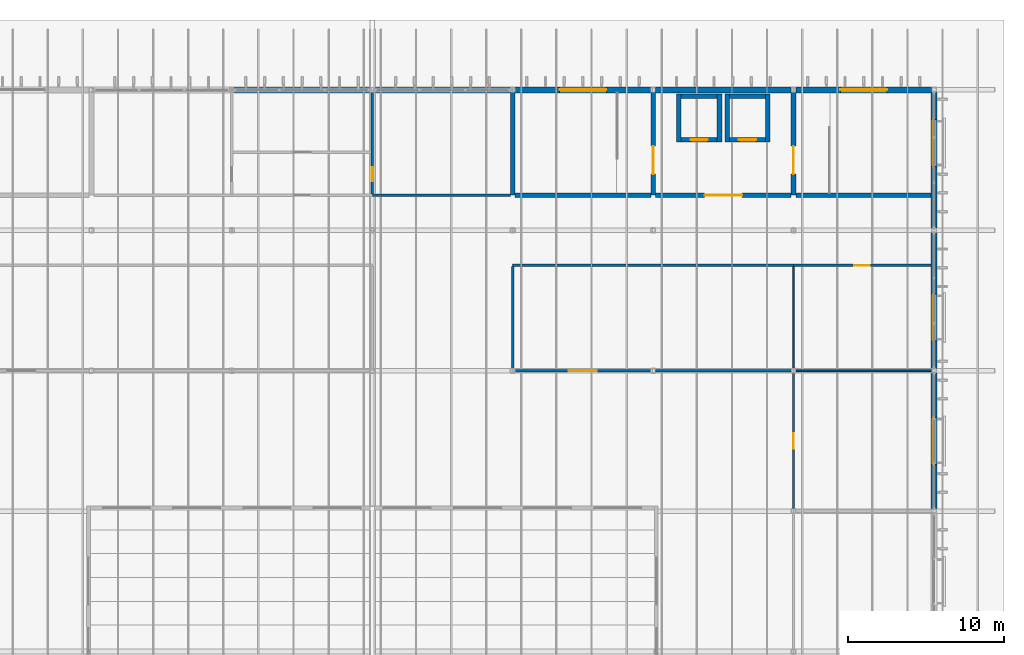
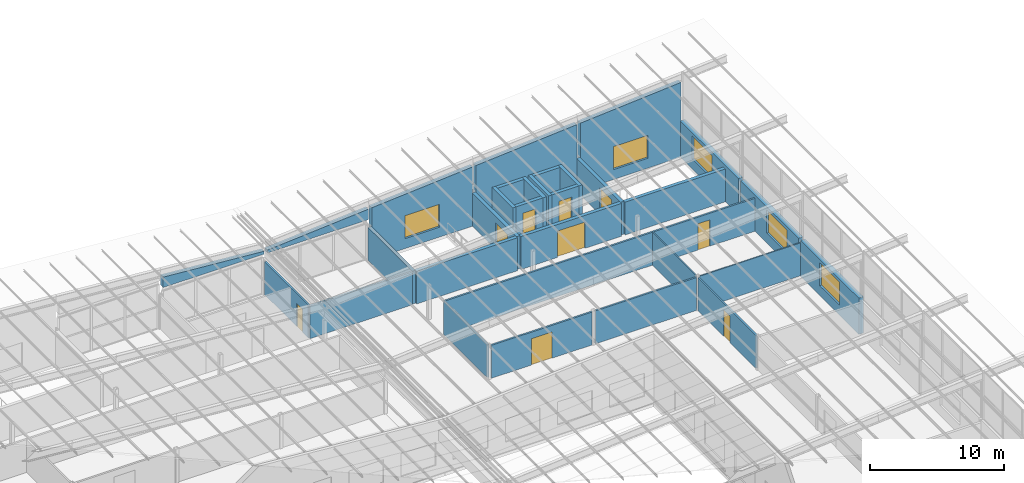
# One storey, part 76 of 85: 32 walls, 9 doors, 5 windows, 14 openings.
"""IFC4 building model written with IfcOpenShell, lengths in metres."""

from ifc_helpers import new_model, si_unit, direction, frame, frame_2d, origin, place, context, subcontext, project, spatial, polyline, rectangle, outline, extrude, material, layer, layer_set, type_object, element, fill, save


model = new_model("IFC4")

# Units and contexts
model_context = context("Model", 3, precision=1e-05, world=origin(), true_north=direction((0.0, 1.0)))
body_context = subcontext(model_context, "Body", "Model", "MODEL_VIEW")
ifc_project = project(units=[si_unit("LENGTHUNIT", "METRE"), si_unit("AREAUNIT", "SQUARE_METRE"), si_unit("VOLUMEUNIT", "CUBIC_METRE"), si_unit("PLANEANGLEUNIT", "RADIAN"), si_unit("MASSUNIT", "GRAM", prefix="KILO")], contexts=[model_context])

# Site, building, storey
site_placement = place(None, origin())
site = spatial("IfcSite", under=ifc_project, at=site_placement, CompositionType="ELEMENT")
building_placement = place(site_placement, origin())
building = spatial("IfcBuilding", under=site, at=building_placement, Name="Opaline Strait Convention Centre", CompositionType="ELEMENT")
storey_placement = place(building_placement, frame((0.0, 0.0, 17.0)))
storey = spatial("IfcBuildingStorey", under=building, at=storey_placement, Name="L03", CompositionType="ELEMENT", Elevation=17.0)

# Wall, opening, door
ifc_material_1 = material(Name="Gypsum board")
ifc_layer_1 = layer(ifc_material_1, 0.032470703125)
ifc_material_2 = material(Name="Steel stud and mineral wool", Category="steel")
ifc_layer_2 = layer(ifc_material_2, 0.0849609375)
ifc_layer_3 = layer(ifc_material_1, 0.032470703125)
ifc_layer_set_1 = layer_set([ifc_layer_1, ifc_layer_2, ifc_layer_3], Name="Gypsum board, Steel stud and mineral wool, Gypsum board")
wall_type_1 = type_object("IfcWallType", Name="Corridor partition 150 EI60", PredefinedType="PARTITIONING", material=ifc_layer_set_1)
wall_1_placement = place(storey_placement, frame((333.14990234375, 162.0, 0.0), z_axis=(0.0, 0.0, 1.0), x_axis=(1.0, 0.0, 0.0)))
wall_1 = element("IfcWall", 1, at=wall_1_placement, inside=storey, type_object=wall_type_1, Name="MPW1 partition Meeting Room 3.20 S", PredefinedType="PARTITIONING", context=body_context, shape_type="SweptSolid", body=[
    extrude(rectangle(XDim=8.7001953125, YDim=0.14990234375, at=frame_2d((4.35009765625, 0.0))), origin(), (0.0, 0.0, 1.0), 3.0),
])
opening_1_placement = place(wall_1_placement, frame((3.4501953125, 0.0, 0.0)))
opening_1 = element("IfcOpeningElement", 2, at=opening_1_placement, cuts=wall_1, Name="Opening M3-040", PredefinedType="OPENING", context=body_context, shape_type="SweptSolid", body=[
    extrude(rectangle(XDim=1.800048828125, YDim=2.39990234375, at=frame_2d((0.89990234375, 1.199951171875))), frame((0.0, 0.0849609375, 0.0), z_axis=(0.0, -1.0, 0.0), x_axis=(1.0, 0.0, 0.0)), (0.0, 0.0, 1.0), 0.169921875),
])
ifc_material_3 = material(Name="Solid-core timber leaf, steel frame door set", Category="steel")
door_type_1 = type_object("IfcDoorType", Name="Meeting room double door FD30 1800 x 2400", OperationType="DOUBLE_DOOR_SINGLE_SWING", PredefinedType="DOOR", material=ifc_material_3)
door_1_placement = place(opening_1_placement, frame((1.800048828125, 0.0, 0.0), z_axis=(0.0, 0.0, 1.0), x_axis=(-1.0, 0.0, 0.0)))
door_1 = element("IfcDoor", 3, at=door_1_placement, inside=storey, type_object=door_type_1, Name="Door Meeting Room 3.20", ObjectType="MD7", OperationType="DOUBLE_DOOR_SINGLE_SWING", OverallHeight=2.39990234375, OverallWidth=1.800048828125, PredefinedType="DOOR", context=body_context, shape_type="SweptSolid", body=[
    extrude(rectangle(XDim=1.800048828125, YDim=2.39990234375, at=frame_2d((0.89990234375, 1.199951171875))), frame((0.0, 0.02490234375, 0.0), z_axis=(0.0, -1.0, 0.0), x_axis=(1.0, 0.0, 0.0)), (0.0, 0.0, 1.0), 0.050048828125),
])
fill(opening_1, door_1)

# Walls
wall_2_placement = place(storey_placement, frame((342.14990234375, 162.0, 0.0), z_axis=(0.0, 0.0, 1.0), x_axis=(1.0, 0.0, 0.0)))
element("IfcWall", 4, at=wall_2_placement, inside=storey, type_object=wall_type_1, Name="MPW1 partition Meeting Room 3.20 S", PredefinedType="PARTITIONING", context=body_context, shape_type="SweptSolid", body=[
    extrude(rectangle(XDim=8.7001953125, YDim=0.14990234375, at=frame_2d((4.35009765625, 0.0))), origin(), (0.0, 0.0, 1.0), 3.0),
])
wall_3_placement = place(storey_placement, frame((333.0, 168.75, 0.0), z_axis=(0.0, 0.0, 1.0), x_axis=(1.0, 0.0, 0.0)))
element("IfcWall", 5, at=wall_3_placement, inside=storey, type_object=wall_type_1, Name="MPW1 partition Meeting Room 3.20 N", PredefinedType="PARTITIONING", context=body_context, shape_type="SweptSolid", body=[
    extrude(rectangle(XDim=18.0, YDim=0.14990234375, at=frame_2d((9.0, 0.0))), origin(), (0.0, 0.0, 1.0), 3.0),
])
wall_4_placement = place(storey_placement, frame((333.0, 162.14990234375, 0.0), z_axis=(0.0, 0.0, 1.0), x_axis=(0.0, 1.0, 0.0)))
element("IfcWall", 6, at=wall_4_placement, inside=storey, type_object=wall_type_1, Name="MPW1 partition Meeting Room 3.20 W", PredefinedType="PARTITIONING", context=body_context, shape_type="SweptSolid", body=[
    extrude(rectangle(XDim=6.525146484375, YDim=0.14990234375, at=frame_2d((3.2626953125, 0.0))), origin(), (0.0, 0.0, 1.0), 3.0),
])

# Wall, opening, door
wall_5_placement = place(storey_placement, frame((351.0, 153.14990234375, 0.0), z_axis=(0.0, 0.0, 1.0), x_axis=(0.0, 1.0, 0.0)))
wall_5 = element("IfcWall", 7, at=wall_5_placement, inside=storey, type_object=wall_type_1, Name="MPW1 partition Speaker Preparation Room 3.24 W", PredefinedType="PARTITIONING", context=body_context, shape_type="SweptSolid", body=[
    extrude(rectangle(XDim=8.7001953125, YDim=0.14990234375, at=frame_2d((4.35009765625, 0.0))), origin(), (0.0, 0.0, 1.0), 3.0),
])
opening_2_placement = place(wall_5_placement, frame((3.85009765625, 0.0, 0.0)))
opening_2 = element("IfcOpeningElement", 8, at=opening_2_placement, cuts=wall_5, Name="Opening M3-044", PredefinedType="OPENING", context=body_context, shape_type="SweptSolid", body=[
    extrude(rectangle(XDim=1.0, YDim=2.39990234375, at=frame_2d((0.5, 1.199951171875))), frame((0.0, 0.0849609375, 0.0), z_axis=(0.0, -1.0, 0.0), x_axis=(1.0, 0.0, 0.0)), (0.0, 0.0, 1.0), 0.169921875),
])
door_type_2 = type_object("IfcDoorType", Name="Meeting room door FD30 1000 x 2400", OperationType="SINGLE_SWING_LEFT", PredefinedType="DOOR", material=ifc_material_3)
door_2_placement = place(opening_2_placement, origin())
door_2 = element("IfcDoor", 9, at=door_2_placement, inside=storey, type_object=door_type_2, Name="Door Speaker Preparation Room 3.24", ObjectType="MD8", OperationType="SINGLE_SWING_LEFT", OverallHeight=2.39990234375, OverallWidth=1.0, PredefinedType="DOOR", context=body_context, shape_type="SweptSolid", body=[
    extrude(rectangle(XDim=1.0, YDim=2.39990234375, at=frame_2d((0.5, 1.199951171875))), frame((0.0, 0.02490234375, 0.0), z_axis=(0.0, -1.0, 0.0), x_axis=(1.0, 0.0, 0.0)), (0.0, 0.0, 1.0), 0.050048828125),
])
fill(opening_2, door_2)

wall_6_placement = place(storey_placement, frame((351.0, 168.75, 0.0), z_axis=(0.0, 0.0, 1.0), x_axis=(1.0, 0.0, 0.0)))
wall_6 = element("IfcWall", 10, at=wall_6_placement, inside=storey, type_object=wall_type_1, Name="MPW1 partition Organiser Office 3.26 N", PredefinedType="PARTITIONING", context=body_context, shape_type="SweptSolid", body=[
    extrude(rectangle(XDim=8.800048828125, YDim=0.14990234375, at=frame_2d((4.39990234375, 0.0))), origin(), (0.0, 0.0, 1.0), 3.0),
])
opening_3_placement = place(wall_6_placement, frame((3.900146484375, 0.0, 0.0)))
opening_3 = element("IfcOpeningElement", 11, at=opening_3_placement, cuts=wall_6, Name="Opening M3-046", PredefinedType="OPENING", context=body_context, shape_type="SweptSolid", body=[
    extrude(rectangle(XDim=1.0, YDim=2.39990234375, at=frame_2d((0.5, 1.199951171875))), frame((0.0, 0.0849609375, 0.0), z_axis=(0.0, -1.0, 0.0), x_axis=(1.0, 0.0, 0.0)), (0.0, 0.0, 1.0), 0.169921875),
])
door_3_placement = place(opening_3_placement, origin())
door_3 = element("IfcDoor", 12, at=door_3_placement, inside=storey, type_object=door_type_2, Name="Door Organiser Office 3.26", ObjectType="MD8", OperationType="SINGLE_SWING_RIGHT", OverallHeight=2.39990234375, OverallWidth=1.0, PredefinedType="DOOR", context=body_context, shape_type="SweptSolid", body=[
    extrude(rectangle(XDim=1.0, YDim=2.39990234375, at=frame_2d((0.5, 1.199951171875))), frame((0.0, 0.02490234375, 0.0), z_axis=(0.0, -1.0, 0.0), x_axis=(1.0, 0.0, 0.0)), (0.0, 0.0, 1.0), 0.050048828125),
])
fill(opening_3, door_3)

# Walls
wall_7_placement = place(storey_placement, frame((324.0, 173.25, 0.0), z_axis=(0.0, 0.0, 1.0), x_axis=(1.0, 0.0, 0.0)))
element("IfcWall", 13, at=wall_7_placement, inside=storey, type_object=wall_type_1, Name="MPW1 partition Women's WC 3.N S", PredefinedType="PARTITIONING", context=body_context, shape_type="SweptSolid", body=[
    extrude(rectangle(XDim=8.85009765625, YDim=0.14990234375, at=frame_2d((4.425048828125, 0.0))), origin(), (0.0, 0.0, 1.0), 3.0),
])
ifc_material_4 = material(Name="Concrete C40 precast", Category="concrete")
ifc_layer_4 = layer(ifc_material_4, 0.10009765625)
ifc_material_5 = material(Name="Mineral wool insulation")
ifc_layer_5 = layer(ifc_material_5, 0.14990234375)
ifc_layer_6 = layer(ifc_material_4, 0.14990234375)
ifc_layer_set_2 = layer_set([ifc_layer_4, ifc_layer_5, ifc_layer_6], Name="Concrete C40 precast, Mineral wool insulation, Concrete C40 precast")
wall_type_2 = type_object("IfcWallType", Name="External wall 400 insulated precast EI60", PredefinedType="STANDARD", material=ifc_layer_set_2)
wall_8_placement = place(storey_placement, frame((315.14990234375, 180.0, 3.75), z_axis=(0.0, 0.0, 1.0), x_axis=(1.0, 0.0, 0.0)))
element("IfcWall", 14, at=wall_8_placement, inside=storey, type_object=wall_type_2, Name="External wall N L03 36/W", PredefinedType="STANDARD", context=body_context, shape_type="SweptSolid", body=[
    extrude(outline(polyline([(0.0, 0.0), (8.7001953125, 0.0), (8.699951171875, 0.26171875), (0.0, 0.946533203125), (0.0, 0.0)])), frame((0.0, 0.199951171875, 0.0), z_axis=(0.0, -1.0, 0.0), x_axis=(1.0, 0.0, 0.0)), (0.0, 0.0, 1.0), 0.39990234375),
])
wall_9_placement = place(storey_placement, frame((324.14990234375, 180.0, 3.75), z_axis=(0.0, 0.0, 1.0), x_axis=(1.0, 0.0, 0.0)))
element("IfcWall", 15, at=wall_9_placement, inside=storey, type_object=wall_type_2, Name="External wall N L03 37/W", PredefinedType="STANDARD", context=body_context, shape_type="SweptSolid", body=[
    extrude(outline(polyline([(0.0, 0.0), (8.7001953125, 0.0), (8.699951171875, 0.946533203125), (0.0, 0.26171875), (0.0, 0.0)])), frame((0.0, 0.199951171875, 0.0), z_axis=(0.0, -1.0, 0.0), x_axis=(1.0, 0.0, 0.0)), (0.0, 0.0, 1.0), 0.39990234375),
])

# Wall, opening, window
wall_10_placement = place(storey_placement, frame((333.14990234375, 180.0, 0.0), z_axis=(0.0, 0.0, 1.0), x_axis=(1.0, 0.0, 0.0)))
wall_10 = element("IfcWall", 16, at=wall_10_placement, inside=storey, type_object=wall_type_2, Name="External wall N L03 38/W", PredefinedType="STANDARD", context=body_context, shape_type="SweptSolid", body=[
    extrude(outline(polyline([(0.0, 0.0), (8.7001953125, 0.0), (8.699951171875, 5.40478515625), (0.0, 4.72021484375), (0.0, 0.0)])), frame((0.0, 0.199951171875, 0.0), z_axis=(0.0, -1.0, 0.0), x_axis=(1.0, 0.0, 0.0)), (0.0, 0.0, 1.0), 0.39990234375),
])
opening_4_placement = place(wall_10_placement, frame((2.85009765625, 0.0, 0.89990234375)))
opening_4 = element("IfcOpeningElement", 17, at=opening_4_placement, cuts=wall_10, Name="Opening MW2", PredefinedType="OPENING", context=body_context, shape_type="SweptSolid", body=[
    extrude(rectangle(XDim=3.0, YDim=2.10009765625, at=frame_2d((1.5, 1.050048828125))), frame((0.0, 0.2099609375, 0.0), z_axis=(0.0, -1.0, 0.0), x_axis=(1.0, 0.0, 0.0)), (0.0, 0.0, 1.0), 0.419921875),
])
ifc_material_6 = material(Name="Aluminium framed double glazing", Category="aluminium")
window_type = type_object("IfcWindowType", Name="Window 3000 x 2100", PartitioningType="TRIPLE_PANEL_VERTICAL", PredefinedType="WINDOW", material=ifc_material_6)
window_1_placement = place(opening_4_placement, origin())
window_1 = element("IfcWindow", 18, at=window_1_placement, inside=storey, type_object=window_type, Name="Window Escape Stair S8 N", OverallHeight=2.10009765625, OverallWidth=3.0, PartitioningType="TRIPLE_PANEL_VERTICAL", PredefinedType="WINDOW", context=body_context, shape_type="SweptSolid", body=[
    extrude(rectangle(XDim=3.0, YDim=2.10009765625, at=frame_2d((1.5, 1.050048828125))), frame((0.0, 0.030029296875, 0.0), z_axis=(0.0, -1.0, 0.0), x_axis=(1.0, 0.0, 0.0)), (0.0, 0.0, 1.0), 0.06005859375),
])
fill(opening_4, window_1)

# Wall
wall_11_placement = place(storey_placement, frame((342.14990234375, 180.0, 0.0), z_axis=(0.0, 0.0, 1.0), x_axis=(1.0, 0.0, 0.0)))
element("IfcWall", 19, at=wall_11_placement, inside=storey, type_object=wall_type_2, Name="External wall N L03 39/W", PredefinedType="STANDARD", context=body_context, shape_type="SweptSolid", body=[
    extrude(outline(polyline([(0.0, 0.0), (8.7001953125, 0.0), (8.699951171875, 6.113037109375), (0.0, 5.428466796875), (0.0, 0.0)])), frame((0.0, 0.199951171875, 0.0), z_axis=(0.0, -1.0, 0.0), x_axis=(1.0, 0.0, 0.0)), (0.0, 0.0, 1.0), 0.39990234375),
])

# Wall, opening, window
wall_12_placement = place(storey_placement, frame((351.14990234375, 180.0, 0.0), z_axis=(0.0, 0.0, 1.0), x_axis=(1.0, 0.0, 0.0)))
wall_12 = element("IfcWall", 20, at=wall_12_placement, inside=storey, type_object=wall_type_2, Name="External wall N L03 40/W", PredefinedType="STANDARD", context=body_context, shape_type="SweptSolid", body=[
    extrude(outline(polyline([(0.0, 0.0), (8.7001953125, 0.0), (8.699951171875, 6.821533203125), (0.0, 6.13671875), (0.0, 0.0)])), frame((0.0, 0.199951171875, 0.0), z_axis=(0.0, -1.0, 0.0), x_axis=(1.0, 0.0, 0.0)), (0.0, 0.0, 1.0), 0.39990234375),
])
opening_5_placement = place(wall_12_placement, frame((2.85009765625, 0.0, 0.89990234375)))
opening_5 = element("IfcOpeningElement", 21, at=opening_5_placement, cuts=wall_12, Name="Opening MW2", PredefinedType="OPENING", context=body_context, shape_type="SweptSolid", body=[
    extrude(rectangle(XDim=3.0, YDim=2.10009765625, at=frame_2d((1.5, 1.050048828125))), frame((0.0, 0.2099609375, 0.0), z_axis=(0.0, -1.0, 0.0), x_axis=(1.0, 0.0, 0.0)), (0.0, 0.0, 1.0), 0.419921875),
])
window_2_placement = place(opening_5_placement, origin())
window_2 = element("IfcWindow", 22, at=window_2_placement, inside=storey, type_object=window_type, Name="Window Escape Stair S7 N", OverallHeight=2.10009765625, OverallWidth=3.0, PartitioningType="TRIPLE_PANEL_VERTICAL", PredefinedType="WINDOW", context=body_context, shape_type="SweptSolid", body=[
    extrude(rectangle(XDim=3.0, YDim=2.10009765625, at=frame_2d((1.5, 1.050048828125))), frame((0.0, 0.030029296875, 0.0), z_axis=(0.0, -1.0, 0.0), x_axis=(1.0, 0.0, 0.0)), (0.0, 0.0, 1.0), 0.06005859375),
])
fill(opening_5, window_2)

wall_13_placement = place(storey_placement, frame((360.0, 153.14990234375, 0.0), z_axis=(0.0, 0.0, 1.0), x_axis=(0.0, 1.0, 0.0)))
wall_13 = element("IfcWall", 23, at=wall_13_placement, inside=storey, type_object=wall_type_2, Name="External wall E L03 41/T", PredefinedType="STANDARD", context=body_context, shape_type="SweptSolid", body=[
    extrude(rectangle(XDim=8.7001953125, YDim=0.39990234375, at=frame_2d((4.35009765625, 0.0))), origin(), (0.0, 0.0, 1.0), 3.300048828125),
])
opening_6_placement = place(wall_13_placement, frame((2.85009765625, 0.0, 0.89990234375)))
opening_6 = element("IfcOpeningElement", 24, at=opening_6_placement, cuts=wall_13, Name="Opening MW2", PredefinedType="OPENING", context=body_context, shape_type="SweptSolid", body=[
    extrude(rectangle(XDim=3.0, YDim=2.10009765625, at=frame_2d((1.5, 1.050048828125))), frame((0.0, 0.2099609375, 0.0), z_axis=(0.0, -1.0, 0.0), x_axis=(1.0, 0.0, 0.0)), (0.0, 0.0, 1.0), 0.419921875),
])
window_3_placement = place(opening_6_placement, origin())
window_3 = element("IfcWindow", 25, at=window_3_placement, inside=storey, type_object=window_type, Name="Window Speaker Preparation Room 3.24 E", OverallHeight=2.10009765625, OverallWidth=3.0, PartitioningType="TRIPLE_PANEL_VERTICAL", PredefinedType="WINDOW", context=body_context, shape_type="SweptSolid", body=[
    extrude(rectangle(XDim=3.0, YDim=2.10009765625, at=frame_2d((1.5, 1.050048828125))), frame((0.0, 0.030029296875, 0.0), z_axis=(0.0, -1.0, 0.0), x_axis=(1.0, 0.0, 0.0)), (0.0, 0.0, 1.0), 0.06005859375),
])
fill(opening_6, window_3)

wall_14_placement = place(storey_placement, frame((360.0, 162.14990234375, 0.0), z_axis=(0.0, 0.0, 1.0), x_axis=(0.0, 1.0, 0.0)))
wall_14 = element("IfcWall", 26, at=wall_14_placement, inside=storey, type_object=wall_type_2, Name="External wall E L03 41/U", PredefinedType="STANDARD", context=body_context, shape_type="SweptSolid", body=[
    extrude(rectangle(XDim=8.7001953125, YDim=0.39990234375, at=frame_2d((4.35009765625, 0.0))), origin(), (0.0, 0.0, 1.0), 3.300048828125),
])
opening_7_placement = place(wall_14_placement, frame((1.7626953125, 0.0, 0.89990234375)))
opening_7 = element("IfcOpeningElement", 27, at=opening_7_placement, cuts=wall_14, Name="Opening MW2", PredefinedType="OPENING", context=body_context, shape_type="SweptSolid", body=[
    extrude(rectangle(XDim=3.0, YDim=2.10009765625, at=frame_2d((1.5, 1.050048828125))), frame((0.0, 0.2099609375, 0.0), z_axis=(0.0, -1.0, 0.0), x_axis=(1.0, 0.0, 0.0)), (0.0, 0.0, 1.0), 0.419921875),
])
window_4_placement = place(opening_7_placement, origin())
window_4 = element("IfcWindow", 28, at=window_4_placement, inside=storey, type_object=window_type, Name="Window Organiser Office 3.26 E", OverallHeight=2.10009765625, OverallWidth=3.0, PartitioningType="TRIPLE_PANEL_VERTICAL", PredefinedType="WINDOW", context=body_context, shape_type="SweptSolid", body=[
    extrude(rectangle(XDim=3.0, YDim=2.10009765625, at=frame_2d((1.5, 1.050048828125))), frame((0.0, 0.030029296875, 0.0), z_axis=(0.0, -1.0, 0.0), x_axis=(1.0, 0.0, 0.0)), (0.0, 0.0, 1.0), 0.06005859375),
])
fill(opening_7, window_4)

wall_15_placement = place(storey_placement, frame((360.0, 171.14990234375, 0.0), z_axis=(0.0, 0.0, 1.0), x_axis=(0.0, 1.0, 0.0)))
wall_15 = element("IfcWall", 29, at=wall_15_placement, inside=storey, type_object=wall_type_2, Name="External wall E L03 41/V", PredefinedType="STANDARD", context=body_context, shape_type="SweptSolid", body=[
    extrude(rectangle(XDim=8.7001953125, YDim=0.39990234375, at=frame_2d((4.35009765625, 0.0))), origin(), (0.0, 0.0, 1.0), 3.300048828125),
])
opening_8_placement = place(wall_15_placement, frame((3.9375, 0.0, 0.89990234375)))
opening_8 = element("IfcOpeningElement", 30, at=opening_8_placement, cuts=wall_15, Name="Opening MW2", PredefinedType="OPENING", context=body_context, shape_type="SweptSolid", body=[
    extrude(rectangle(XDim=3.0, YDim=2.10009765625, at=frame_2d((1.5, 1.050048828125))), frame((0.0, 0.2099609375, 0.0), z_axis=(0.0, -1.0, 0.0), x_axis=(1.0, 0.0, 0.0)), (0.0, 0.0, 1.0), 0.419921875),
])
window_5_placement = place(opening_8_placement, origin())
window_5 = element("IfcWindow", 31, at=window_5_placement, inside=storey, type_object=window_type, Name="Window Escape Stair S7 E", OverallHeight=2.10009765625, OverallWidth=3.0, PartitioningType="TRIPLE_PANEL_VERTICAL", PredefinedType="WINDOW", context=body_context, shape_type="SweptSolid", body=[
    extrude(rectangle(XDim=3.0, YDim=2.10009765625, at=frame_2d((1.5, 1.050048828125))), frame((0.0, 0.030029296875, 0.0), z_axis=(0.0, -1.0, 0.0), x_axis=(1.0, 0.0, 0.0)), (0.0, 0.0, 1.0), 0.06005859375),
])
fill(opening_8, window_5)

# Wall, opening, door
ifc_material_7 = material(Name="Concrete C40", Category="concrete")
ifc_layer_7 = layer(ifc_material_7, 0.300048828125)
ifc_layer_set_3 = layer_set([ifc_layer_7], Name="Concrete C40")
wall_type_3 = type_object("IfcWallType", Name="RC core wall 300 C40", PredefinedType="SHEAR", material=ifc_layer_set_3)
wall_16_placement = place(storey_placement, frame((351.0, 173.25, 0.0), z_axis=(0.0, 0.0, 1.0), x_axis=(0.0, 1.0, 0.0)))
wall_16 = element("IfcWall", 32, at=wall_16_placement, inside=storey, type_object=wall_type_3, Name="Core wall NE-L03", PredefinedType="SHEAR", context=body_context, shape_type="SweptSolid", body=[
    extrude(rectangle(XDim=6.60009765625, YDim=0.300048828125, at=frame_2d((3.300048828125, 0.0))), origin(), (0.0, 0.0, 1.0), 3.0),
])
opening_9_placement = place(wall_16_placement, frame((1.35009765625, 0.0, 0.0)))
opening_9 = element("IfcOpeningElement", 33, at=opening_9_placement, cuts=wall_16, Name="Opening M3-016", PredefinedType="OPENING", context=body_context, shape_type="SweptSolid", body=[
    extrude(rectangle(XDim=1.800048828125, YDim=2.39990234375, at=frame_2d((0.89990234375, 1.199951171875))), frame((0.0, 0.159912109375, 0.0), z_axis=(0.0, -1.0, 0.0), x_axis=(1.0, 0.0, 0.0)), (0.0, 0.0, 1.0), 0.320068359375),
])
ifc_material_8 = material(Name="Steel Q235B", Category="steel")
door_type_3 = type_object("IfcDoorType", Name="Stair door FD60 1800 x 2400", OperationType="DOUBLE_DOOR_SINGLE_SWING", PredefinedType="DOOR", material=ifc_material_8)
door_4_placement = place(opening_9_placement, origin())
door_4 = element("IfcDoor", 34, at=door_4_placement, inside=storey, type_object=door_type_3, Name="Escape stair S7 door L03", ObjectType="MD4", OperationType="DOUBLE_DOOR_SINGLE_SWING", OverallHeight=2.39990234375, OverallWidth=1.800048828125, PredefinedType="DOOR", context=body_context, shape_type="SweptSolid", body=[
    extrude(rectangle(XDim=1.800048828125, YDim=2.39990234375, at=frame_2d((0.89990234375, 1.199951171875))), frame((0.0, 0.02490234375, 0.0), z_axis=(0.0, -1.0, 0.0), x_axis=(1.0, 0.0, 0.0)), (0.0, 0.0, 1.0), 0.050048828125),
])
fill(opening_9, door_4)

wall_17_placement = place(storey_placement, frame((342.0, 173.25, 0.0), z_axis=(0.0, 0.0, 1.0), x_axis=(0.0, 1.0, 0.0)))
wall_17 = element("IfcWall", 35, at=wall_17_placement, inside=storey, type_object=wall_type_3, Name="Core wall NE-L03", PredefinedType="SHEAR", context=body_context, shape_type="SweptSolid", body=[
    extrude(rectangle(XDim=6.60009765625, YDim=0.300048828125, at=frame_2d((3.300048828125, 0.0))), origin(), (0.0, 0.0, 1.0), 3.0),
])
opening_10_placement = place(wall_17_placement, frame((1.35009765625, 0.0, 0.0)))
opening_10 = element("IfcOpeningElement", 36, at=opening_10_placement, cuts=wall_17, Name="Opening M3-017", PredefinedType="OPENING", context=body_context, shape_type="SweptSolid", body=[
    extrude(rectangle(XDim=1.800048828125, YDim=2.39990234375, at=frame_2d((0.89990234375, 1.199951171875))), frame((0.0, 0.159912109375, 0.0), z_axis=(0.0, -1.0, 0.0), x_axis=(1.0, 0.0, 0.0)), (0.0, 0.0, 1.0), 0.320068359375),
])
door_5_placement = place(opening_10_placement, frame((1.800048828125, 0.0, 0.0), z_axis=(0.0, 0.0, 1.0), x_axis=(-1.0, 0.0, 0.0)))
door_5 = element("IfcDoor", 37, at=door_5_placement, inside=storey, type_object=door_type_3, Name="Escape stair S8 door L03", ObjectType="MD4", OperationType="DOUBLE_DOOR_SINGLE_SWING", OverallHeight=2.39990234375, OverallWidth=1.800048828125, PredefinedType="DOOR", context=body_context, shape_type="SweptSolid", body=[
    extrude(rectangle(XDim=1.800048828125, YDim=2.39990234375, at=frame_2d((0.89990234375, 1.199951171875))), frame((0.0, 0.02490234375, 0.0), z_axis=(0.0, -1.0, 0.0), x_axis=(1.0, 0.0, 0.0)), (0.0, 0.0, 1.0), 0.050048828125),
])
fill(opening_10, door_5)

# Walls
wall_18_placement = place(storey_placement, frame((333.0, 173.25, 0.0), z_axis=(0.0, 0.0, 1.0), x_axis=(0.0, 1.0, 0.0)))
element("IfcWall", 38, at=wall_18_placement, inside=storey, type_object=wall_type_3, Name="Core wall NE-L03", PredefinedType="SHEAR", context=body_context, shape_type="SweptSolid", body=[
    extrude(rectangle(XDim=6.60009765625, YDim=0.300048828125, at=frame_2d((3.300048828125, 0.0))), origin(), (0.0, 0.0, 1.0), 3.0),
])
wall_19_placement = place(storey_placement, frame((333.14990234375, 173.25, 0.0), z_axis=(0.0, 0.0, 1.0), x_axis=(1.0, 0.0, 0.0)))
element("IfcWall", 39, at=wall_19_placement, inside=storey, type_object=wall_type_3, Name="Core wall NE-L03", PredefinedType="SHEAR", context=body_context, shape_type="SweptSolid", body=[
    extrude(rectangle(XDim=8.7001953125, YDim=0.300048828125, at=frame_2d((4.35009765625, 0.0))), origin(), (0.0, 0.0, 1.0), 3.0),
])

# Wall, opening, door
wall_20_placement = place(storey_placement, frame((342.14990234375, 173.25, 0.0), z_axis=(0.0, 0.0, 1.0), x_axis=(1.0, 0.0, 0.0)))
wall_20 = element("IfcWall", 40, at=wall_20_placement, inside=storey, type_object=wall_type_3, Name="Core wall NE-L03", PredefinedType="SHEAR", context=body_context, shape_type="SweptSolid", body=[
    extrude(rectangle(XDim=8.7001953125, YDim=0.300048828125, at=frame_2d((4.35009765625, 0.0))), origin(), (0.0, 0.0, 1.0), 3.0),
])
opening_11_placement = place(wall_20_placement, frame((3.150146484375, 0.0, 0.0)))
opening_11 = element("IfcOpeningElement", 41, at=opening_11_placement, cuts=wall_20, Name="Opening M3-018", PredefinedType="OPENING", context=body_context, shape_type="SweptSolid", body=[
    extrude(rectangle(XDim=2.39990234375, YDim=2.39990234375, at=frame_2d((1.199951171875, 1.199951171875))), frame((0.0, 0.159912109375, 0.0), z_axis=(0.0, -1.0, 0.0), x_axis=(1.0, 0.0, 0.0)), (0.0, 0.0, 1.0), 0.320068359375),
])
door_type_4 = type_object("IfcDoorType", Name="Lift lobby double door FD60 2400 x 2400", OperationType="DOUBLE_DOOR_SINGLE_SWING", PredefinedType="DOOR", material=ifc_material_8)
door_6_placement = place(opening_11_placement, frame((2.39990234375, 0.0, 0.0), z_axis=(0.0, 0.0, 1.0), x_axis=(-1.0, 0.0, 0.0)))
door_6 = element("IfcDoor", 42, at=door_6_placement, inside=storey, type_object=door_type_4, Name="Lift lobby NE door L03", ObjectType="MD5", OperationType="DOUBLE_DOOR_SINGLE_SWING", OverallHeight=2.39990234375, OverallWidth=2.39990234375, PredefinedType="DOOR", context=body_context, shape_type="SweptSolid", body=[
    extrude(rectangle(XDim=2.39990234375, YDim=2.39990234375, at=frame_2d((1.199951171875, 1.199951171875))), frame((0.0, 0.02490234375, 0.0), z_axis=(0.0, -1.0, 0.0), x_axis=(1.0, 0.0, 0.0)), (0.0, 0.0, 1.0), 0.050048828125),
])
fill(opening_11, door_6)

# Walls
wall_21_placement = place(storey_placement, frame((351.14990234375, 173.25, 0.0), z_axis=(0.0, 0.0, 1.0), x_axis=(1.0, 0.0, 0.0)))
element("IfcWall", 43, at=wall_21_placement, inside=storey, type_object=wall_type_3, Name="Core wall NE-L03", PredefinedType="SHEAR", context=body_context, shape_type="SweptSolid", body=[
    extrude(rectangle(XDim=8.650146484375, YDim=0.300048828125, at=frame_2d((4.3251953125, 0.0))), origin(), (0.0, 0.0, 1.0), 3.0),
])
ifc_layer_8 = layer(ifc_material_7, 0.300048828125)
ifc_layer_set_4 = layer_set([ifc_layer_8], Name="Concrete C40")
wall_type_4 = type_object("IfcWallType", Name="RC lift shaft wall 300 C40", PredefinedType="SHEAR", material=ifc_layer_set_4)
for number, where, z_axis, x_axis, name in (
    (44, (349.35009765625, 176.64990234375, 0.0), (0.0, 0.0, 1.0), (0.0, 1.0, 0.0), "Lift shaft NE1 wall L03"),
    (45, (346.75, 176.64990234375, 0.0), (0.0, 0.0, 1.0), (0.0, 1.0, 0.0), "Lift shaft NE1 wall L03"),
):
    element("IfcWall", number, at=place(storey_placement, frame(where, z_axis=z_axis, x_axis=x_axis)), inside=storey, type_object=wall_type_4, Name=name, PredefinedType="SHEAR", context=body_context, shape_type="SweptSolid", body=[
        extrude(rectangle(XDim=3.10009765625, YDim=0.300048828125, at=frame_2d((1.550048828125, 0.0))), origin(), (0.0, 0.0, 1.0), 3.0),
    ])
wall_22_placement = place(storey_placement, frame((346.89990234375, 179.60009765625, 0.0), z_axis=(0.0, 0.0, 1.0), x_axis=(1.0, 0.0, 0.0)))
element("IfcWall", 46, at=wall_22_placement, inside=storey, type_object=wall_type_4, Name="Lift shaft NE1 wall L03", PredefinedType="SHEAR", context=body_context, shape_type="SweptSolid", body=[
    extrude(rectangle(XDim=2.300048828125, YDim=0.300048828125, at=frame_2d((1.14990234375, 0.0))), origin(), (0.0, 0.0, 1.0), 3.0),
])

# Wall, opening, door
wall_23_placement = place(storey_placement, frame((346.89990234375, 176.800048828125, 0.0), z_axis=(0.0, 0.0, 1.0), x_axis=(1.0, 0.0, 0.0)))
wall_23 = element("IfcWall", 47, at=wall_23_placement, inside=storey, type_object=wall_type_4, Name="Lift shaft NE1 wall L03", PredefinedType="SHEAR", context=body_context, shape_type="SweptSolid", body=[
    extrude(rectangle(XDim=2.300048828125, YDim=0.300048828125, at=frame_2d((1.14990234375, 0.0))), origin(), (0.0, 0.0, 1.0), 3.0),
])
opening_12_placement = place(wall_23_placement, frame((0.60009765625, 0.0, 0.0)))
opening_12 = element("IfcOpeningElement", 48, at=opening_12_placement, cuts=wall_23, Name="Opening M3-019", PredefinedType="OPENING", context=body_context, shape_type="SweptSolid", body=[
    extrude(rectangle(XDim=1.10009765625, YDim=2.199951171875, at=frame_2d((0.550048828125, 1.10009765625))), frame((0.0, 0.159912109375, 0.0), z_axis=(0.0, -1.0, 0.0), x_axis=(1.0, 0.0, 0.0)), (0.0, 0.0, 1.0), 0.320068359375),
])
ifc_material_9 = material(Name="Stainless steel 304", Category="steel")
door_type_5 = type_object("IfcDoorType", Name="Lift landing door FD60 1100 x 2200", OperationType="SLIDING_TO_LEFT", PredefinedType="DOOR", material=ifc_material_9)
door_7_placement = place(opening_12_placement, origin())
door_7 = element("IfcDoor", 49, at=door_7_placement, inside=storey, type_object=door_type_5, Name="Lift landing door NE1 L03", ObjectType="MD6", OperationType="SLIDING_TO_LEFT", OverallHeight=2.199951171875, OverallWidth=1.10009765625, PredefinedType="DOOR", context=body_context, shape_type="SweptSolid", body=[
    extrude(rectangle(XDim=1.10009765625, YDim=2.199951171875, at=frame_2d((0.550048828125, 1.10009765625))), frame((0.0, 0.02490234375, 0.0), z_axis=(0.0, -1.0, 0.0), x_axis=(1.0, 0.0, 0.0)), (0.0, 0.0, 1.0), 0.050048828125),
])
fill(opening_12, door_7)

# Walls
for number, where, z_axis, x_axis, name in (
    (50, (346.25, 176.64990234375, 0.0), (0.0, 0.0, 1.0), (0.0, 1.0, 0.0), "Lift shaft NE2 wall L03"),
    (51, (343.64990234375, 176.64990234375, 0.0), (0.0, 0.0, 1.0), (0.0, 1.0, 0.0), "Lift shaft NE2 wall L03"),
):
    element("IfcWall", number, at=place(storey_placement, frame(where, z_axis=z_axis, x_axis=x_axis)), inside=storey, type_object=wall_type_4, Name=name, PredefinedType="SHEAR", context=body_context, shape_type="SweptSolid", body=[
        extrude(rectangle(XDim=3.10009765625, YDim=0.300048828125, at=frame_2d((1.550048828125, 0.0))), origin(), (0.0, 0.0, 1.0), 3.0),
    ])
wall_24_placement = place(storey_placement, frame((343.800048828125, 179.60009765625, 0.0), z_axis=(0.0, 0.0, 1.0), x_axis=(1.0, 0.0, 0.0)))
element("IfcWall", 52, at=wall_24_placement, inside=storey, type_object=wall_type_4, Name="Lift shaft NE2 wall L03", PredefinedType="SHEAR", context=body_context, shape_type="SweptSolid", body=[
    extrude(rectangle(XDim=2.300048828125, YDim=0.300048828125, at=frame_2d((1.14990234375, 0.0))), origin(), (0.0, 0.0, 1.0), 3.0),
])

# Wall, opening, door
wall_25_placement = place(storey_placement, frame((343.800048828125, 176.800048828125, 0.0), z_axis=(0.0, 0.0, 1.0), x_axis=(1.0, 0.0, 0.0)))
wall_25 = element("IfcWall", 53, at=wall_25_placement, inside=storey, type_object=wall_type_4, Name="Lift shaft NE2 wall L03", PredefinedType="SHEAR", context=body_context, shape_type="SweptSolid", body=[
    extrude(rectangle(XDim=2.300048828125, YDim=0.300048828125, at=frame_2d((1.14990234375, 0.0))), origin(), (0.0, 0.0, 1.0), 3.0),
])
opening_13_placement = place(wall_25_placement, frame((0.599853515625, 0.0, 0.0)))
opening_13 = element("IfcOpeningElement", 54, at=opening_13_placement, cuts=wall_25, Name="Opening M3-020", PredefinedType="OPENING", context=body_context, shape_type="SweptSolid", body=[
    extrude(rectangle(XDim=1.10009765625, YDim=2.199951171875, at=frame_2d((0.550048828125, 1.10009765625))), frame((0.0, 0.159912109375, 0.0), z_axis=(0.0, -1.0, 0.0), x_axis=(1.0, 0.0, 0.0)), (0.0, 0.0, 1.0), 0.320068359375),
])
door_8_placement = place(opening_13_placement, origin())
door_8 = element("IfcDoor", 55, at=door_8_placement, inside=storey, type_object=door_type_5, Name="Lift landing door NE2 L03", ObjectType="MD6", OperationType="SLIDING_TO_RIGHT", OverallHeight=2.199951171875, OverallWidth=1.10009765625, PredefinedType="DOOR", context=body_context, shape_type="SweptSolid", body=[
    extrude(rectangle(XDim=1.10009765625, YDim=2.199951171875, at=frame_2d((0.550048828125, 1.10009765625))), frame((0.0, 0.02490234375, 0.0), z_axis=(0.0, -1.0, 0.0), x_axis=(1.0, 0.0, 0.0)), (0.0, 0.0, 1.0), 0.050048828125),
])
fill(opening_13, door_8)

# Walls
ifc_layer_9 = layer(ifc_material_1, 0.012451171875)
ifc_layer_10 = layer(ifc_material_2, 0.074951171875)
ifc_layer_11 = layer(ifc_material_1, 0.012451171875)
ifc_layer_set_5 = layer_set([ifc_layer_9, ifc_layer_10, ifc_layer_11], Name="Gypsum board, Steel stud and mineral wool, Gypsum board")
wall_type_5 = type_object("IfcWallType", Name="Room partition 100 EI45", PredefinedType="PARTITIONING", material=ifc_layer_set_5)
wall_26_placement = place(storey_placement, frame((351.0, 162.14990234375, 0.0), z_axis=(0.0, 0.0, 1.0), x_axis=(0.0, 1.0, 0.0)))
element("IfcWall", 56, at=wall_26_placement, inside=storey, type_object=wall_type_5, Name="MPW2 partition Meeting Room 3.20 E", PredefinedType="PARTITIONING", context=body_context, shape_type="SweptSolid", body=[
    extrude(rectangle(XDim=6.525146484375, YDim=0.10009765625, at=frame_2d((3.2626953125, 0.0))), origin(), (0.0, 0.0, 1.0), 3.0),
])
wall_27_placement = place(storey_placement, frame((351.14990234375, 162.0, 0.0), z_axis=(0.0, 0.0, 1.0), x_axis=(1.0, 0.0, 0.0)))
element("IfcWall", 57, at=wall_27_placement, inside=storey, type_object=wall_type_5, Name="MPW2 partition Speaker Preparation Room 3.24 N", PredefinedType="PARTITIONING", context=body_context, shape_type="SweptSolid", body=[
    extrude(rectangle(XDim=8.7001953125, YDim=0.10009765625, at=frame_2d((4.35009765625, 0.0))), origin(), (0.0, 0.0, 1.0), 3.0),
])

# Wall, opening, door
ifc_layer_12 = layer(ifc_material_1, 0.032470703125)
ifc_layer_13 = layer(ifc_material_2, 0.0849609375)
ifc_layer_14 = layer(ifc_material_1, 0.032470703125)
ifc_layer_set_6 = layer_set([ifc_layer_12, ifc_layer_13, ifc_layer_14], Name="Gypsum board, Steel stud and mineral wool, Gypsum board")
wall_type_6 = type_object("IfcWallType", Name="Wet-area partition 150 EI45", PredefinedType="PARTITIONING", material=ifc_layer_set_6)
wall_28_placement = place(storey_placement, frame((324.0, 173.324951171875, 0.0), z_axis=(0.0, 0.0, 1.0), x_axis=(0.0, 1.0, 0.0)))
wall_28 = element("IfcWall", 58, at=wall_28_placement, inside=storey, type_object=wall_type_6, Name="MPW4 partition Women's WC 3.N W", PredefinedType="PARTITIONING", context=body_context, shape_type="SweptSolid", body=[
    extrude(rectangle(XDim=6.525146484375, YDim=0.14990234375, at=frame_2d((3.2626953125, 0.0))), origin(), (0.0, 0.0, 1.0), 3.0),
])
opening_14_placement = place(wall_28_placement, frame((0.824951171875, 0.0, 0.0)))
opening_14 = element("IfcOpeningElement", 59, at=opening_14_placement, cuts=wall_28, Name="Opening M3-052", PredefinedType="OPENING", context=body_context, shape_type="SweptSolid", body=[
    extrude(rectangle(XDim=0.89990234375, YDim=2.10009765625, at=frame_2d((0.449951171875, 1.050048828125))), frame((0.0, 0.0849609375, 0.0), z_axis=(0.0, -1.0, 0.0), x_axis=(1.0, 0.0, 0.0)), (0.0, 0.0, 1.0), 0.169921875),
])
door_type_6 = type_object("IfcDoorType", Name="WC door 900 x 2100", OperationType="SINGLE_SWING_LEFT", PredefinedType="DOOR", material=ifc_material_3)
door_9_placement = place(opening_14_placement, frame((0.89990234375, 0.0, 0.0), z_axis=(0.0, 0.0, 1.0), x_axis=(-1.0, 0.0, 0.0)))
door_9 = element("IfcDoor", 60, at=door_9_placement, inside=storey, type_object=door_type_6, Name="Door Women's WC 3.N", ObjectType="MD11", OperationType="SINGLE_SWING_LEFT", OverallHeight=2.10009765625, OverallWidth=0.89990234375, PredefinedType="DOOR", context=body_context, shape_type="SweptSolid", body=[
    extrude(rectangle(XDim=0.89990234375, YDim=2.10009765625, at=frame_2d((0.449951171875, 1.050048828125))), frame((0.0, 0.02490234375, 0.0), z_axis=(0.0, -1.0, 0.0), x_axis=(1.0, 0.0, 0.0)), (0.0, 0.0, 1.0), 0.050048828125),
])
fill(opening_14, door_9)

save(model, "model.ifc")
